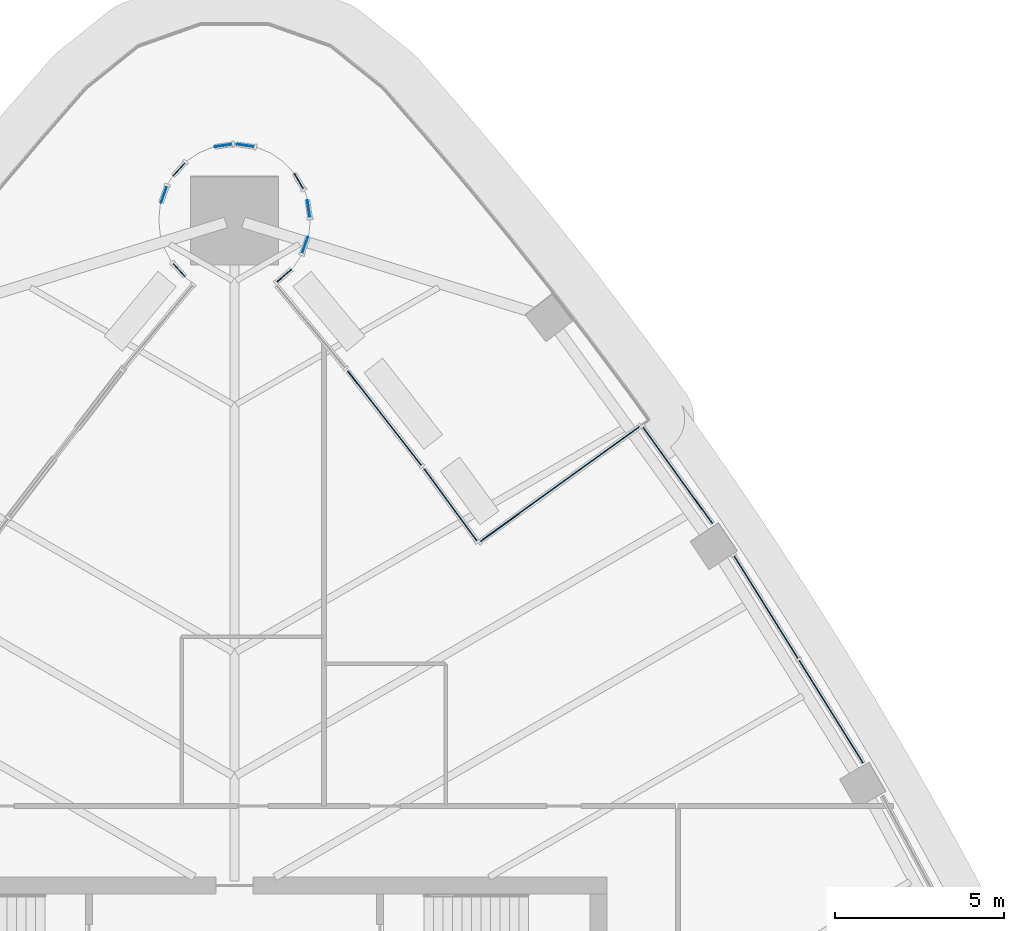
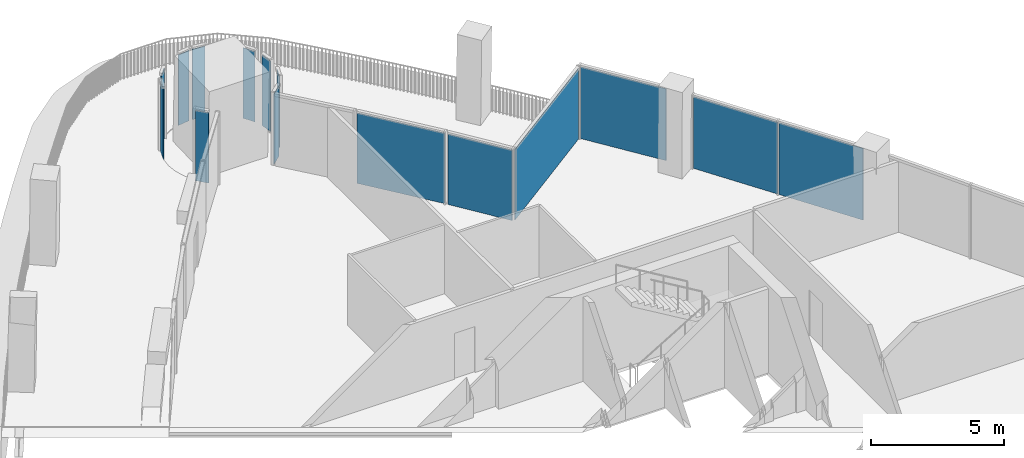
# One storey, part 10 of 19: 15 plates, 14 elements without a shape of their own.
"""IFC4 building model written with IfcOpenShell, lengths in metres."""

from ifc_helpers import new_model, si_unit, direction, frame, origin, origin_2d, place, context, subcontext, project, spatial, rectangle, extrude, material, layer, layer_set, type_object, element, aggregate, save


model = new_model("IFC4")

# Units and contexts
model_context = context("Model", 3, precision=1e-05, world=origin(), true_north=direction((0.0, 1.0)))
body_context = subcontext(model_context, "Body", "Model", "MODEL_VIEW")
ifc_project = project(units=[si_unit("LENGTHUNIT", "METRE"), si_unit("AREAUNIT", "SQUARE_METRE"), si_unit("VOLUMEUNIT", "CUBIC_METRE"), si_unit("PLANEANGLEUNIT", "RADIAN"), si_unit("MASSUNIT", "GRAM", prefix="KILO")], contexts=[model_context])

# Site, building, storey
site_placement = place(None, origin())
site = spatial("IfcSite", under=ifc_project, at=site_placement, CompositionType="ELEMENT")
building_placement = place(site_placement, origin())
building = spatial("IfcBuilding", under=site, at=building_placement, Name="Sierra Prisma Convention Tower", CompositionType="ELEMENT")
storey_placement = place(building_placement, frame((0.0, 0.0, 173.800048828125)))
storey = spatial("IfcBuildingStorey", under=building, at=storey_placement, Name="L38", CompositionType="ELEMENT", Elevation=173.800048828125)

# Curtain wall, plates
ifc_material_1 = material(Name="Aluminium and glass curtain wall", Category="aluminium")
ifc_layer_1 = layer(ifc_material_1, 0.179931640625)
ifc_layer_set_1 = layer_set([ifc_layer_1], Name="CW-1 Plain shaft curtain wall")
curtain_wall_type_1 = type_object("IfcCurtainWallType", Name="CW-1 Plain shaft curtain wall", PredefinedType="NOTDEFINED", material=ifc_layer_set_1)
curtain_wall_1_placement = place(storey_placement, origin())
curtain_wall_1 = element("IfcCurtainWall", 1, at=curtain_wall_1_placement, inside=storey, type_object=curtain_wall_type_1, Name="CW-1 NE4 L38", PredefinedType="NOTDEFINED")
ifc_material_2 = material(Name="Tinted glass bronze-grey IGU", Category="glass")
ifc_layer_2 = layer(ifc_material_2, 0.028076171875)
ifc_layer_set_2 = layer_set([ifc_layer_2], Name="CW-1 glass panel")
plate_type_1 = type_object("IfcPlateType", Name="CW-1 glass panel", PredefinedType="CURTAIN_PANEL", material=ifc_layer_set_2)
plate_1_placement = place(storey_placement, frame((17.6240234375, 12.8896484375, 0.0), z_axis=(0.0, 0.0, 1.0), x_axis=(-0.528935074288, 0.848662292781, 0.0)))
plate_1 = element("IfcPlate", 2, at=plate_1_placement, type_object=plate_type_1, Name="CW-1 panel NE4.1", PredefinedType="CURTAIN_PANEL", context=body_context, shape_type="SweptSolid", body=[
    extrude(rectangle(XDim=3.564208984375, YDim=0.028076171875, at=origin_2d()), origin(), (0.0, 0.0, 1.0), 3.280029296875),
])
plate_2_placement = place(storey_placement, frame((15.701904296875, 15.97412109375, 0.0), z_axis=(0.0, 0.0, 1.0), x_axis=(-0.528935074288, 0.848662292781, 0.0)))
plate_2 = element("IfcPlate", 3, at=plate_2_placement, type_object=plate_type_1, Name="CW-1 panel NE4.2", PredefinedType="CURTAIN_PANEL", context=body_context, shape_type="SweptSolid", body=[
    extrude(rectangle(XDim=3.564208984375, YDim=0.028076171875, at=origin_2d()), origin(), (0.0, 0.0, 1.0), 3.280029296875),
])
aggregate(curtain_wall_1, [plate_1, plate_2])

# Curtain wall, plate
curtain_wall_2_placement = place(storey_placement, origin())
curtain_wall_2 = element("IfcCurtainWall", 4, at=curtain_wall_2_placement, inside=storey, type_object=curtain_wall_type_1, Name="CW-1 NE5 L38", PredefinedType="NOTDEFINED")
plate_3_placement = place(storey_placement, frame((13.090087890625, 19.867919921875, 0.0), z_axis=(0.0, 0.0, 1.0), x_axis=(-0.584966039155, 0.811057786496, 0.0)))
plate_3 = element("IfcPlate", 5, at=plate_3_placement, type_object=plate_type_1, Name="CW-1 panel NE5.1", PredefinedType="CURTAIN_PANEL", context=body_context, shape_type="SweptSolid", body=[
    extrude(rectangle(XDim=3.513916015625, YDim=0.028076171875, at=origin_2d()), origin(), (0.0, 0.0, 1.0), 3.280029296875),
])
aggregate(curtain_wall_2, [plate_3])

ifc_material_3 = material(Name="Aluminium and glass curtain wall", Category="aluminium")
ifc_layer_3 = layer(ifc_material_3, 0.179931640625)
ifc_layer_set_3 = layer_set([ifc_layer_3], Name="CW-6 Terrace recess curtain wall")
curtain_wall_type_2 = type_object("IfcCurtainWallType", Name="CW-6 Terrace recess curtain wall", PredefinedType="NOTDEFINED", material=ifc_layer_set_3)
curtain_wall_3_placement = place(storey_placement, origin())
curtain_wall_3 = element("IfcCurtainWall", 6, at=curtain_wall_3_placement, inside=storey, type_object=curtain_wall_type_2, Name="CW-6 R1 L38", PredefinedType="NOTDEFINED")
ifc_material_4 = material(Name="Tinted glass bronze-grey IGU", Category="glass")
ifc_layer_4 = layer(ifc_material_4, 0.028076171875)
ifc_layer_set_4 = layer_set([ifc_layer_4], Name="CW-6 glass panel")
plate_type_2 = type_object("IfcPlateType", Name="CW-6 glass panel", PredefinedType="CURTAIN_PANEL", material=ifc_layer_set_4)
plate_4_placement = place(storey_placement, frame((6.383544921875, 18.99267578125, 0.0), z_axis=(0.0, 0.0, 1.0), x_axis=(-0.591167596622, 0.806548741679, 0.0)))
plate_4 = element("IfcPlate", 7, at=plate_4_placement, type_object=plate_type_2, Name="CW-6 panel R1.1", PredefinedType="CURTAIN_PANEL", context=body_context, shape_type="SweptSolid", body=[
    extrude(rectangle(XDim=2.63232421875, YDim=0.028076171875, at=origin_2d()), origin(), (0.0, 0.0, 1.0), 3.219970703125),
])
aggregate(curtain_wall_3, [plate_4])

curtain_wall_4_placement = place(storey_placement, origin())
curtain_wall_4 = element("IfcCurtainWall", 8, at=curtain_wall_4_placement, inside=storey, type_object=curtain_wall_type_2, Name="CW-6 R2 L38", PredefinedType="NOTDEFINED")
plate_5_placement = place(storey_placement, frame((4.434326171875, 21.55517578125, 0.0), z_axis=(0.0, 0.0, 1.0), x_axis=(-0.61609581475, 0.787671217608, 0.0)))
plate_5 = element("IfcPlate", 9, at=plate_5_placement, type_object=plate_type_2, Name="CW-6 panel R2.1", PredefinedType="CURTAIN_PANEL", context=body_context, shape_type="SweptSolid", body=[
    extrude(rectangle(XDim=3.52783203125, YDim=0.028076171875, at=origin_2d()), origin(), (0.0, 0.0, 1.0), 3.219970703125),
])
aggregate(curtain_wall_4, [plate_5])

curtain_wall_5_placement = place(storey_placement, origin())
curtain_wall_5 = element("IfcCurtainWall", 10, at=curtain_wall_5_placement, inside=storey, type_object=curtain_wall_type_2, Name="CW-6 R4 L38", PredefinedType="NOTDEFINED")
plate_6_placement = place(storey_placement, frame((1.4638671875, 25.766357421875, 0.0), z_axis=(0.0, 0.0, 1.0), x_axis=(0.750846789179, 0.660476418337, 0.0)))
plate_6 = element("IfcPlate", 11, at=plate_6_placement, type_object=plate_type_2, Name="CW-6 panel R4.1", PredefinedType="CURTAIN_PANEL", context=body_context, shape_type="SweptSolid", body=[
    extrude(rectangle(XDim=0.570068359375, YDim=0.028076171875, at=origin_2d()), origin(), (0.0, 0.0, 1.0), 3.219970703125),
])
aggregate(curtain_wall_5, [plate_6])

curtain_wall_6_placement = place(storey_placement, origin())
curtain_wall_6 = element("IfcCurtainWall", 12, at=curtain_wall_6_placement, inside=storey, type_object=curtain_wall_type_2, Name="CW-6 R6 L38", PredefinedType="NOTDEFINED")
plate_7_placement = place(storey_placement, frame((2.084716796875, 26.675048828125, 0.0), z_axis=(0.0, 0.0, 1.0), x_axis=(0.336889853392, 0.941544065183, 0.0)))
plate_7 = element("IfcPlate", 13, at=plate_7_placement, type_object=plate_type_2, Name="CW-6 panel R6.1", PredefinedType="CURTAIN_PANEL", context=body_context, shape_type="SweptSolid", body=[
    extrude(rectangle(XDim=0.516845703125, YDim=0.028076171875, at=origin_2d()), origin(), (0.0, 0.0, 1.0), 3.219970703125),
])
aggregate(curtain_wall_6, [plate_7])

curtain_wall_7_placement = place(storey_placement, origin())
curtain_wall_7 = element("IfcCurtainWall", 14, at=curtain_wall_7_placement, inside=storey, type_object=curtain_wall_type_2, Name="CW-6 R8 L38", PredefinedType="NOTDEFINED")
plate_8_placement = place(storey_placement, frame((2.190185546875, 27.745849609375, 0.0), z_axis=(0.0, 0.0, 1.0), x_axis=(-0.146730474455, 0.989176509965, 0.0)))
plate_8 = element("IfcPlate", 15, at=plate_8_placement, type_object=plate_type_2, Name="CW-6 panel R8.1", PredefinedType="CURTAIN_PANEL", context=body_context, shape_type="SweptSolid", body=[
    extrude(rectangle(XDim=0.516845703125, YDim=0.028076171875, at=origin_2d()), origin(), (0.0, 0.0, 1.0), 3.219970703125),
])
aggregate(curtain_wall_7, [plate_8])

curtain_wall_8_placement = place(storey_placement, origin())
curtain_wall_8 = element("IfcCurtainWall", 16, at=curtain_wall_8_placement, inside=storey, type_object=curtain_wall_type_2, Name="CW-6 R10 L38", PredefinedType="NOTDEFINED")
plate_9_placement = place(storey_placement, frame((1.899169921875, 28.559326171875, 0.0), z_axis=(0.0, 0.0, 1.0), x_axis=(-0.514102744193, 0.85772861, 0.0)))
plate_9 = element("IfcPlate", 17, at=plate_9_placement, type_object=plate_type_2, Name="CW-6 panel R10.1", PredefinedType="CURTAIN_PANEL", context=body_context, shape_type="SweptSolid", body=[
    extrude(rectangle(XDim=0.516845703125, YDim=0.028076171875, at=origin_2d()), origin(), (0.0, 0.0, 1.0), 3.219970703125),
])
aggregate(curtain_wall_8, [plate_9])

curtain_wall_9_placement = place(storey_placement, origin())
curtain_wall_9 = element("IfcCurtainWall", 18, at=curtain_wall_9_placement, inside=storey, type_object=curtain_wall_type_2, Name="CW-6 R14 L38", PredefinedType="NOTDEFINED")
plate_10_placement = place(storey_placement, frame((0.324951171875, 29.611083984375, 0.0), z_axis=(0.0, 0.0, 1.0), x_axis=(-0.989176509965, 0.146730474455, 0.0)))
plate_10 = element("IfcPlate", 19, at=plate_10_placement, type_object=plate_type_2, Name="CW-6 panel R14.1", PredefinedType="CURTAIN_PANEL", context=body_context, shape_type="SweptSolid", body=[
    extrude(rectangle(XDim=0.516845703125, YDim=0.028076171875, at=origin_2d()), origin(), (0.0, 0.0, 1.0), 3.219970703125),
])
aggregate(curtain_wall_9, [plate_10])

curtain_wall_10_placement = place(storey_placement, origin())
curtain_wall_10 = element("IfcCurtainWall", 20, at=curtain_wall_10_placement, inside=storey, type_object=curtain_wall_type_2, Name="CW-6 R15 L38", PredefinedType="NOTDEFINED")
plate_11_placement = place(storey_placement, frame((-0.324951171875, 29.611083984375, 0.0), z_axis=(0.0, 0.0, 1.0), x_axis=(-0.989176509965, -0.146730474455, 0.0)))
plate_11 = element("IfcPlate", 21, at=plate_11_placement, type_object=plate_type_2, Name="CW-6 panel R15.1", PredefinedType="CURTAIN_PANEL", context=body_context, shape_type="SweptSolid", body=[
    extrude(rectangle(XDim=0.516845703125, YDim=0.028076171875, at=origin_2d()), origin(), (0.0, 0.0, 1.0), 3.219970703125),
])
aggregate(curtain_wall_10, [plate_11])

curtain_wall_11_placement = place(storey_placement, origin())
curtain_wall_11 = element("IfcCurtainWall", 22, at=curtain_wall_11_placement, inside=storey, type_object=curtain_wall_type_2, Name="CW-6 R18 L38", PredefinedType="NOTDEFINED")
plate_12_placement = place(storey_placement, frame((-1.640625, 28.907958984375, 0.0), z_axis=(0.0, 0.0, 1.0), x_axis=(-0.671558954847, -0.740951125355, 0.0)))
plate_12 = element("IfcPlate", 23, at=plate_12_placement, type_object=plate_type_2, Name="CW-6 panel R18.1", PredefinedType="CURTAIN_PANEL", context=body_context, shape_type="SweptSolid", body=[
    extrude(rectangle(XDim=0.516845703125, YDim=0.028076171875, at=origin_2d()), origin(), (0.0, 0.0, 1.0), 3.219970703125),
])
aggregate(curtain_wall_11, [plate_12])

curtain_wall_12_placement = place(storey_placement, origin())
curtain_wall_12 = element("IfcCurtainWall", 24, at=curtain_wall_12_placement, inside=storey, type_object=curtain_wall_type_2, Name="CW-6 R20 L38", PredefinedType="NOTDEFINED")
plate_13_placement = place(storey_placement, frame((-2.084716796875, 28.1669921875, 0.0), z_axis=(0.0, 0.0, 1.0), x_axis=(-0.336889853392, -0.941544065183, 0.0)))
plate_13 = element("IfcPlate", 25, at=plate_13_placement, type_object=plate_type_2, Name="CW-6 panel R20.1", PredefinedType="CURTAIN_PANEL", context=body_context, shape_type="SweptSolid", body=[
    extrude(rectangle(XDim=0.516845703125, YDim=0.028076171875, at=origin_2d()), origin(), (0.0, 0.0, 1.0), 3.219970703125),
])
aggregate(curtain_wall_12, [plate_13])

curtain_wall_13_placement = place(storey_placement, origin())
curtain_wall_13 = element("IfcCurtainWall", 26, at=curtain_wall_13_placement, inside=storey, type_object=curtain_wall_type_2, Name="CW-6 R25 L38", PredefinedType="NOTDEFINED")
plate_14_placement = place(storey_placement, frame((-1.640625, 25.933837890625, 0.0), z_axis=(0.0, 0.0, 1.0), x_axis=(0.671558954847, -0.740951125355, 0.0)))
plate_14 = element("IfcPlate", 27, at=plate_14_placement, type_object=plate_type_2, Name="CW-6 panel R25.1", PredefinedType="CURTAIN_PANEL", context=body_context, shape_type="SweptSolid", body=[
    extrude(rectangle(XDim=0.516845703125, YDim=0.028076171875, at=origin_2d()), origin(), (0.0, 0.0, 1.0), 3.219970703125),
])
aggregate(curtain_wall_13, [plate_14])

curtain_wall_14_placement = place(storey_placement, origin())
curtain_wall_14 = element("IfcCurtainWall", 28, at=curtain_wall_14_placement, inside=storey, type_object=curtain_wall_type_2, Name="CW-6 RT1 L38", PredefinedType="NOTDEFINED")
plate_15_placement = place(storey_placement, frame((9.612060546875, 19.6123046875, 0.0), z_axis=(0.0, 0.0, 1.0), x_axis=(-0.811057786496, -0.584966039155, 0.0)))
plate_15 = element("IfcPlate", 29, at=plate_15_placement, type_object=plate_type_2, Name="CW-6 panel RT1.1", PredefinedType="CURTAIN_PANEL", context=body_context, shape_type="SweptSolid", body=[
    extrude(rectangle(XDim=5.800537109375, YDim=0.028076171875, at=origin_2d()), origin(), (0.0, 0.0, 1.0), 3.219970703125),
])
aggregate(curtain_wall_14, [plate_15])

save(model, "model.ifc")
